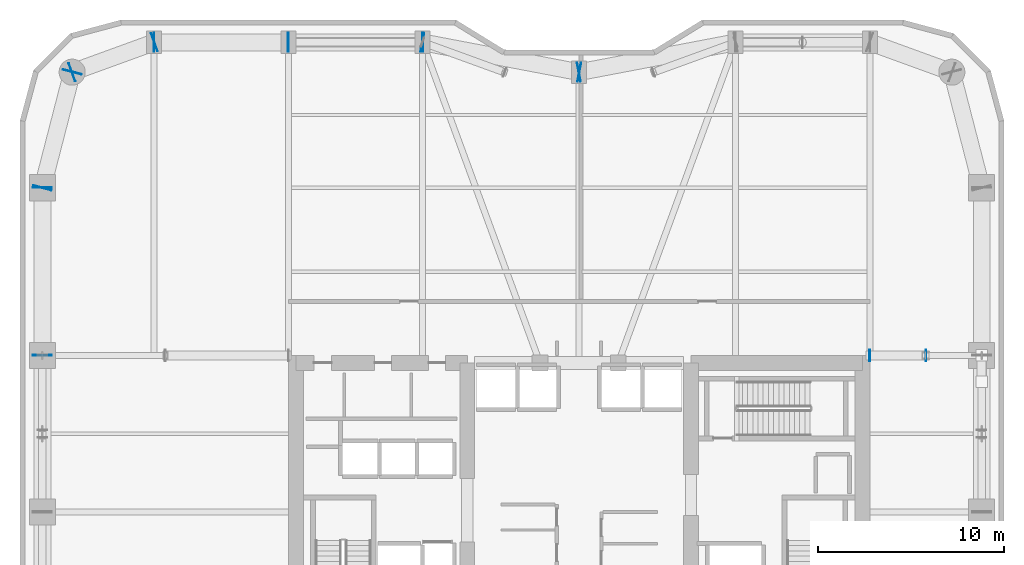
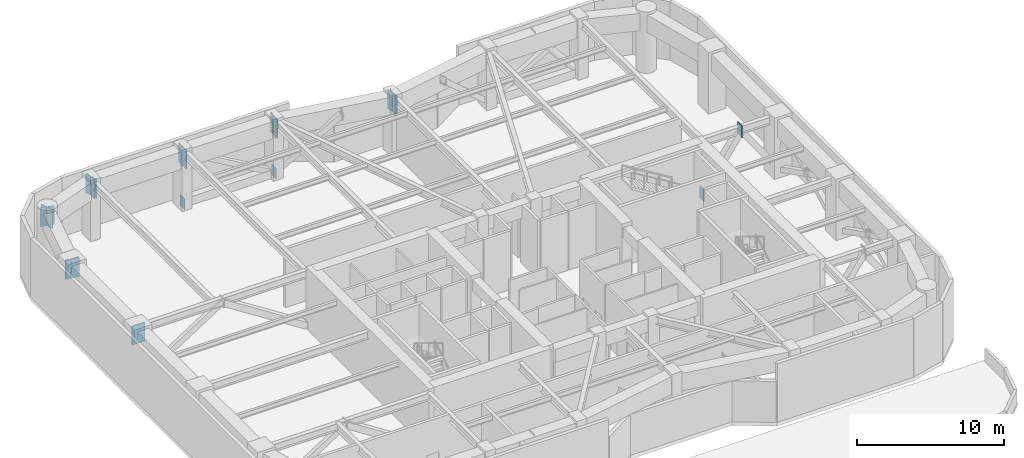
# One storey, part 6 of 16: 18 plates.
"""IFC4 building model written with IfcOpenShell, lengths in metres."""

from ifc_helpers import new_model, si_unit, direction, frame, origin, origin_2d, place, context, subcontext, project, spatial, rectangle, extrude, material, layer, layer_set, type_object, element, save


model = new_model("IFC4")

# Units and contexts
model_context = context("Model", 3, precision=1e-05, world=origin(), true_north=direction((0.0, 1.0)))
body_context = subcontext(model_context, "Body", "Model", "MODEL_VIEW")
ifc_project = project(units=[si_unit("LENGTHUNIT", "METRE"), si_unit("AREAUNIT", "SQUARE_METRE"), si_unit("VOLUMEUNIT", "CUBIC_METRE"), si_unit("PLANEANGLEUNIT", "RADIAN"), si_unit("MASSUNIT", "GRAM", prefix="KILO")], contexts=[model_context])

# Site, building, storey
site_placement = place(None, origin())
site = spatial("IfcSite", under=ifc_project, at=site_placement, CompositionType="ELEMENT")
building_placement = place(site_placement, origin())
building = spatial("IfcBuilding", under=site, at=building_placement, Name="Kiyonajd Concourse Tower", CompositionType="ELEMENT")
storey_placement = place(building_placement, frame((0.0, 0.0, 145.5)))
storey = spatial("IfcBuildingStorey", under=building, at=storey_placement, Name="L37", CompositionType="ELEMENT", Elevation=145.5)

# Plates
ifc_material = material(Name="Steel ASTM A572 Grade 50", Category="steel")
ifc_layer = layer(ifc_material, 0.031982421875)
ifc_layer_set = layer_set([ifc_layer], Name="Steel ASTM A572 Grade 50")
plate_type = type_object("IfcPlateType", Name="PL-CAP-540", PredefinedType="USERDEFINED", material=ifc_layer_set)
for number, where, z_axis, x_axis, name in (
    (1, (63.593505859375, 44.39990234375, -0.2109375), (0.0, 0.0, 1.0), (-1.0, 0.0, 0.0), "L37 Outrigger End Cap Plate 07"),
    (2, (66.6064453125, 44.39990234375, 4.037109375), (0.0, 0.0, 1.0), (1.0, 0.0, 0.0), "L37 Outrigger Far End Cap Plate 07"),
):
    element("IfcPlate", number, at=place(storey_placement, frame(where, z_axis=z_axis, x_axis=x_axis)), inside=storey, type_object=plate_type, Name=name, ObjectType="CAP PLATE", PredefinedType="USERDEFINED", context=body_context, shape_type="SweptSolid", body=[
        extrude(rectangle(XDim=0.035888671875, YDim=0.6201171875, at=origin_2d()), origin(), (0.0, 0.0, 1.0), 1.00390625),
    ])
for number, where, z_axis, x_axis, name in (
    (3, (32.388916015625, 61.199951171875, -0.169921875), (0.0, 0.0, 1.0), (-1.0, 0.0, 0.0), "L37 Belt Chord Cap Plate"),
    (4, (39.611083984375, 61.199951171875, -0.169921875), (0.0, 0.0, 1.0), (1.0, 0.0, 0.0), "L37 Belt Chord Cap Plate"),
):
    element("IfcPlate", number, at=place(storey_placement, frame(where, z_axis=z_axis, x_axis=x_axis)), inside=storey, type_object=plate_type, Name=name, ObjectType="CAP PLATE", PredefinedType="USERDEFINED", context=body_context, shape_type="SweptSolid", body=[
        extrude(rectangle(XDim=0.035888671875, YDim=0.6201171875, at=origin_2d()), origin(), (0.0, 0.0, 1.0), 0.93994140625),
    ])
for number, where, z_axis, x_axis, name in (
    (5, (47.9892578125, 59.597900390625, 3.35986328125), (0.0, 0.0, 1.0), (-0.982352599301, -0.187038420242, 0.0), "L37 Welded Box Girder End Cap"),
    (6, (48.0107421875, 59.597900390625, 3.35986328125), (0.0, 0.0, 1.0), (0.982352599301, -0.187038420242, 0.0), "L37 Welded Box Girder End Cap"),
    (7, (39.589111328125, 61.2021484375, 3.35986328125), (0.0, 0.0, 1.0), (-0.982352599301, 0.187038420242, 0.0), "L37 Welded Box Girder End Cap"),
    (8, (39.611083984375, 61.199951171875, 3.35986328125), (0.0, 0.0, 1.0), (1.0, 0.0, 0.0), "L37 Welded Box Girder End Cap"),
    (9, (32.388916015625, 61.199951171875, 3.35986328125), (0.0, 0.0, 1.0), (-1.0, 0.0, 0.0), "L37 Welded Box Girder End Cap"),
    (10, (32.410888671875, 61.199951171875, 3.35986328125), (0.0, 0.0, 1.0), (1.0, 0.0, 0.0), "L37 Welded Box Girder End Cap"),
    (11, (25.18896484375, 61.199951171875, 3.35986328125), (0.0, 0.0, 1.0), (-1.0, 0.0, 0.0), "L37 Welded Box Girder End Cap"),
    (12, (25.210205078125, 61.203857421875, 3.35986328125), (0.0, 0.0, 1.0), (0.939811951086, 0.341692107891, 0.0), "L37 Welded Box Girder End Cap"),
    (13, (20.789794921875, 59.59619140625, 3.35986328125), (0.0, 0.0, 1.0), (-0.939811951086, -0.341692107891, 0.0), "L37 Welded Box Girder End Cap"),
    (14, (20.802734375, 59.610595703125, 3.35986328125), (0.0, 0.0, 1.0), (0.249873048837, 0.968278606324, 0.0), "L37 Welded Box Girder End Cap"),
    (15, (19.197265625, 53.389404296875, 3.35986328125), (0.0, 0.0, 1.0), (-0.249873048837, -0.968278606324, 0.0), "L37 Welded Box Girder End Cap"),
    (16, (19.199951171875, 53.410888671875, 3.35986328125), (0.0, 0.0, 1.0), (0.0, 1.0, 0.0), "L37 Welded Box Girder End Cap"),
    (17, (19.199951171875, 44.388916015625, 3.35986328125), (0.0, 0.0, 1.0), (0.0, -1.0, 0.0), "L37 Welded Box Girder End Cap"),
    (18, (19.199951171875, 44.410888671875, 3.35986328125), (0.0, 0.0, 1.0), (0.0, 1.0, 0.0), "L37 Welded Box Girder End Cap"),
):
    element("IfcPlate", number, at=place(storey_placement, frame(where, z_axis=z_axis, x_axis=x_axis)), inside=storey, type_object=plate_type, Name=name, ObjectType="CAP PLATE", PredefinedType="USERDEFINED", context=body_context, shape_type="SweptSolid", body=[
        extrude(rectangle(XDim=0.035888671875, YDim=1.02001953125, at=origin_2d()), origin(), (0.0, 0.0, 1.0), 1.590087890625),
    ])

save(model, "model.ifc")
